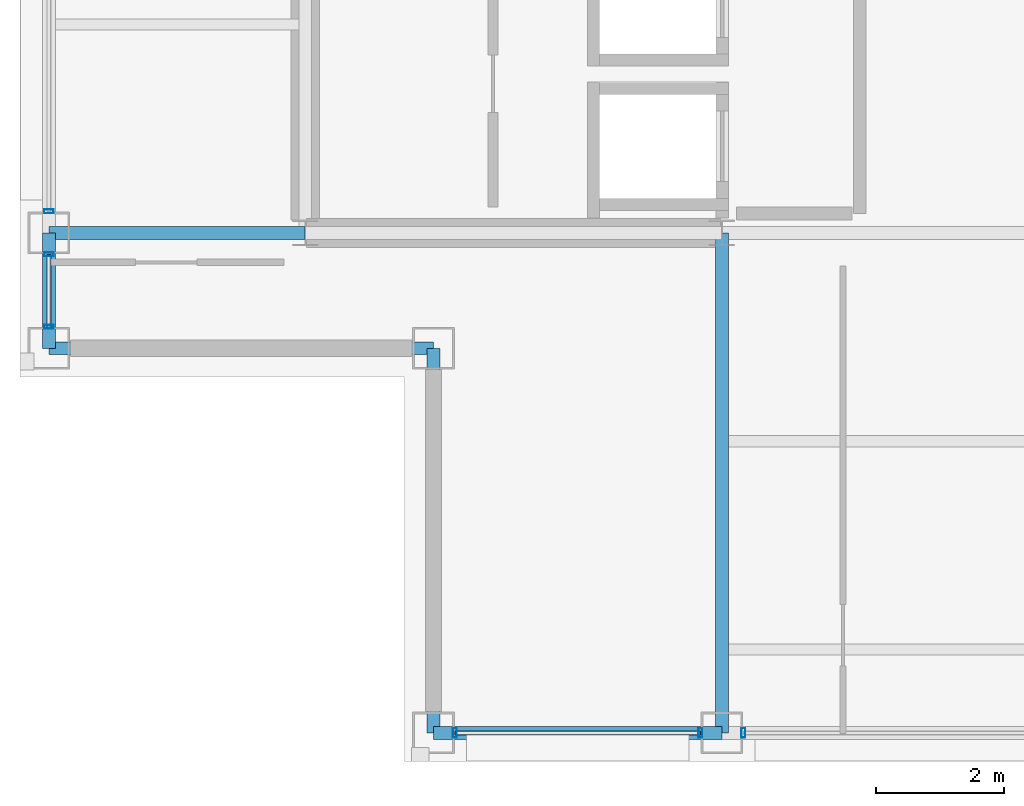
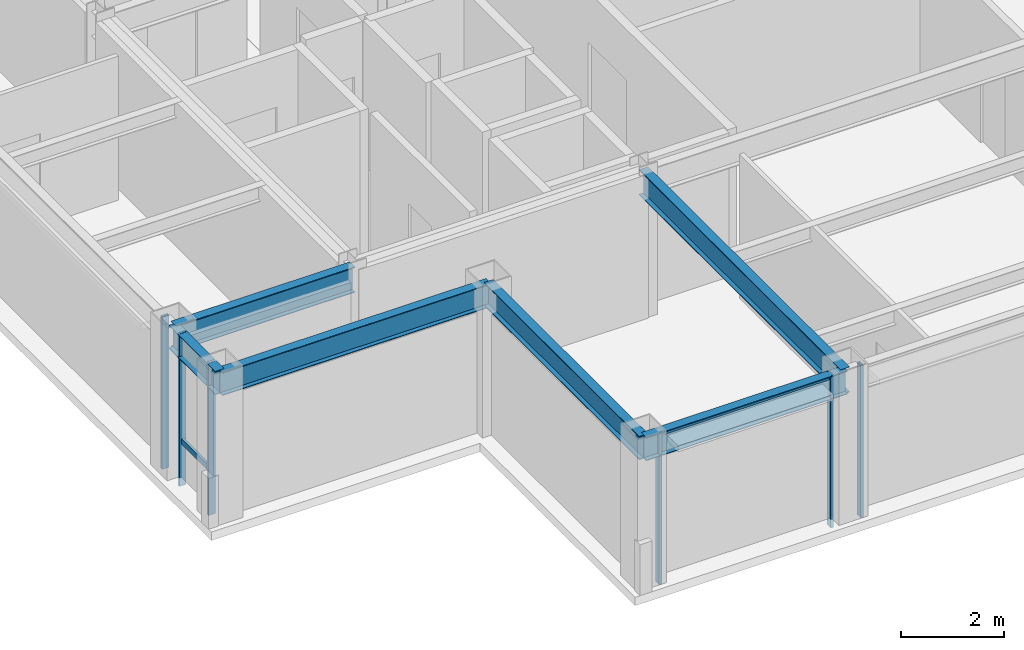
# One storey, part 3 of 24: 8 members, 6 beams, 4 elements without a shape of their own.
"""IFC4 building model written with IfcOpenShell, lengths in metres."""

import ifcopenshell
import ifcopenshell.guid

model = None  # the IFC model being written
_history = None  # IfcOwnerHistory: only IFC2X3 demands one
_inside = {}  # id of a spatial element -> (the spatial element, [elements in it])
_under = {}  # id of a project, library or spatial element -> (it, [spatial elements below it])
_declared = {}  # id of a project -> (the project, [libraries it declares])
_typed = {}  # id of a type object -> (the type object, [elements of that type])
_made_of = {}  # id of a material, layer set ... -> (it, [elements and type objects made of it])


def new_model(schema):
    """Start an empty IFC model of exactly this schema.

    Asked for "IFC4X3", IfcOpenShell would pick the latest addendum, in which some entities
    have other attributes; the version numbers below select the first issue.
    IFC2X3 requires an IfcOwnerHistory on every rooted entity: one is made here for all.
    """
    global model, _history
    if schema == "IFC4X3":
        model = ifcopenshell.file(schema_version=(4, 3, 0, 0))
    else:
        model = ifcopenshell.file(schema=schema)
    _inside.clear()
    _under.clear()
    _declared.clear()
    _typed.clear()
    _made_of.clear()
    _history = None
    if model.schema == "IFC2X3":
        org = make("IfcOrganization", Name="unknown")
        user = make(
            "IfcPersonAndOrganization",
            ThePerson=make("IfcPerson", FamilyName="unknown"),
            TheOrganization=org,
        )
        app = make(
            "IfcApplication",
            ApplicationDeveloper=org,
            Version="unknown",
            ApplicationFullName="unknown",
            ApplicationIdentifier="unknown",
        )
        _history = make(
            "IfcOwnerHistory",
            OwningUser=user,
            OwningApplication=app,
            ChangeAction="ADDED",
            CreationDate=0,
        )
    return model


def make(cls, **values):
    """One entity of the class cls with the attributes given. An attribute that is None is left unset."""
    return model.create_entity(
        cls, **{name: value for name, value in values.items() if value is not None}
    )


def rooted(cls, **values):
    """An entity with a GlobalId (a new one), such as an element, a storey or a relation."""
    return make(cls, GlobalId=ifcopenshell.guid.new(), OwnerHistory=_history, **values)


def si_unit(unit_type, name, prefix=None):
    """IfcSIUnit, for example si_unit("LENGTHUNIT", "METRE", prefix="MILLI")."""
    return make("IfcSIUnit", UnitType=unit_type, Prefix=prefix, Name=name)


def assignment(units):
    """IfcUnitAssignment: the units of a project."""
    return None if units is None else make("IfcUnitAssignment", Units=units)


def point(xyz):
    """IfcCartesianPoint."""
    return None if xyz is None else make("IfcCartesianPoint", Coordinates=xyz)


def direction(xyz):
    """IfcDirection."""
    return None if xyz is None else make("IfcDirection", DirectionRatios=xyz)


def frame(location, z_axis=None, x_axis=None):
    """IfcAxis2Placement3D, a coordinate frame: its origin and axes. An axis left out is left unset."""
    return make(
        "IfcAxis2Placement3D",
        Location=point(location),
        Axis=direction(z_axis),
        RefDirection=direction(x_axis),
    )


def frame_2d(location, x_axis=None):
    """IfcAxis2Placement2D, a coordinate frame in the plane: its origin and x axis."""
    return make(
        "IfcAxis2Placement2D", Location=point(location), RefDirection=direction(x_axis)
    )


def origin():
    """The frame at (0, 0, 0) with its axes left unset."""
    return frame((0.0, 0.0, 0.0))


def origin_2d():
    """The frame at (0, 0) in the plane with its x axis left unset."""
    return frame_2d((0.0, 0.0))


def place(relative_to, where):
    """IfcLocalPlacement: puts the frame where relative to a parent placement (None: the world)."""
    return make(
        "IfcLocalPlacement", PlacementRelTo=relative_to, RelativePlacement=where
    )


def context(
    kind, dimensions, precision=None, world=None, true_north=None, identifier=None
):
    """IfcGeometricRepresentationContext, for example the 3D "Model" context."""
    return make(
        "IfcGeometricRepresentationContext",
        ContextIdentifier=identifier,
        ContextType=kind,
        CoordinateSpaceDimension=dimensions,
        Precision=precision,
        WorldCoordinateSystem=world,
        TrueNorth=true_north,
    )


def subcontext(parent, identifier, kind, view, scale=None):
    """IfcGeometricRepresentationSubContext, for example "Body" below "Model"."""
    return make(
        "IfcGeometricRepresentationSubContext",
        ContextIdentifier=identifier,
        ContextType=kind,
        ParentContext=parent,
        TargetScale=scale,
        TargetView=view,
    )


def project(units=None, contexts=None):
    """IfcProject with its units and contexts."""
    return rooted(
        "IfcProject",
        Name="project",
        RepresentationContexts=contexts,
        UnitsInContext=assignment(units),
    )


def spatial(cls, under=None, at=None, **own):
    """A site, building, storey or space (cls), placed at a placement, below another one or the project."""
    s = rooted(cls, ObjectPlacement=at, **own)
    if under is not None:
        _under.setdefault(under.id(), (under, []))[1].append(s)
    return s


def profile(cls, at=None, kind="AREA", **sizes):
    """A parametric profile (cls). Its sizes go by their IFC names, for example OverallWidth=200.0."""
    return make(cls, ProfileType=kind, Position=at, **sizes)


def hollow_rectangle(**sizes):
    """IfcRectangleHollowProfileDef."""
    return profile("IfcRectangleHollowProfileDef", **sizes)


def i_section(**sizes):
    """IfcIShapeProfileDef."""
    return profile("IfcIShapeProfileDef", **sizes)


def extrude(swept, where, along, depth):
    """IfcExtrudedAreaSolid: the profile swept, set in the frame where, extruded along a direction by depth."""
    return make(
        "IfcExtrudedAreaSolid",
        SweptArea=swept,
        Position=where,
        ExtrudedDirection=direction(along),
        Depth=depth,
    )


def shape(context_of_items, identifier, shape_type, items):
    """IfcShapeRepresentation: the items that make up one representation, for example the "Body"."""
    return make(
        "IfcShapeRepresentation",
        ContextOfItems=context_of_items,
        RepresentationIdentifier=identifier,
        RepresentationType=shape_type,
        Items=items,
    )


def material(Name=None, Category=None):
    """IfcMaterial."""
    return make("IfcMaterial", Name=Name, Category=Category)


def layer(
    of_material, thickness, ventilated=None, Name=None, Category=None, Priority=None
):
    """IfcMaterialLayer: one layer of a wall or slab, of a material (None: an air gap)."""
    return make(
        "IfcMaterialLayer",
        Material=of_material,
        LayerThickness=thickness,
        IsVentilated=ventilated,
        Name=Name,
        Category=Category,
        Priority=Priority,
    )


def layer_set(layers, Name=None):
    """IfcMaterialLayerSet."""
    return make("IfcMaterialLayerSet", MaterialLayers=layers, LayerSetName=Name)


def material_profile(
    of_material, cross_section, Name=None, Category=None, Priority=None
):
    """IfcMaterialProfile: a cross section and its material."""
    return make(
        "IfcMaterialProfile",
        Name=Name,
        Material=of_material,
        Profile=cross_section,
        Priority=Priority,
        Category=Category,
    )


def profile_set(profiles, Name=None, composite=None):
    """IfcMaterialProfileSet."""
    return make(
        "IfcMaterialProfileSet",
        Name=Name,
        MaterialProfiles=profiles,
        CompositeProfile=composite,
    )


def made_of(thing, what):
    """Note that an element or type object is made of a material, layer set ...; save() writes the relation."""
    if what is not None:
        _made_of.setdefault(what.id(), (what, []))[1].append(thing)
    return thing


def type_object(cls, material=None, **own):
    """A type object (cls), such as IfcWallType, which elements share."""
    return made_of(rooted(cls, **own), material)


def element(
    cls,
    number,
    at=None,
    inside=None,
    cuts=None,
    type_object=None,
    material=None,
    context=None,
    identifier="Body",
    shape_type=None,
    held_by="IfcProductDefinitionShape",
    body=None,
    shapes=None,
    **own,
):
    """One element of the class cls, such as IfcWall. Its Tag is "e" and its number.

    at: its placement. inside: the storey or other place that contains it. cuts: it is an
    opening in that element (IfcRelVoidsElement). A single representation is given by context,
    identifier, shape_type and body (its items); several are given by shapes. held_by: the class
    of the entity that holds the representations. save() writes the other relations.
    """
    e = rooted(cls, Tag="e%d" % number, ObjectPlacement=at, **own)
    if body is not None:
        shapes = [shape(context, identifier, shape_type, body)]
    if shapes is not None:
        e.Representation = make(held_by, Representations=shapes)
    if inside is not None:
        _inside.setdefault(inside.id(), (inside, []))[1].append(e)
    if cuts is not None:
        rooted(
            "IfcRelVoidsElement", RelatingBuildingElement=cuts, RelatedOpeningElement=e
        )
    if type_object is not None:
        _typed.setdefault(type_object.id(), (type_object, []))[1].append(e)
    return made_of(e, material)


def aggregate(whole, parts):
    """IfcRelAggregates: a whole, such as a stair, and the parts it consists of."""
    return rooted("IfcRelAggregates", RelatingObject=whole, RelatedObjects=parts)


def save(model, path):
    """Write the relations noted so far, then the file.

    IfcRelAggregates (storeys below a building ...), IfcRelContainedInSpatialStructure (elements
    in a storey), IfcRelDefinesByType, IfcRelAssociatesMaterial and IfcRelDeclares: one each for
    every whole, place, type object, material and project.
    """
    for whole, parts in _under.values():
        aggregate(whole, parts)
    for where, things in _inside.values():
        rooted(
            "IfcRelContainedInSpatialStructure",
            RelatedElements=things,
            RelatingStructure=where,
        )
    for kind, things in _typed.values():
        rooted("IfcRelDefinesByType", RelatedObjects=things, RelatingType=kind)
    for what, things in _made_of.values():
        rooted("IfcRelAssociatesMaterial", RelatedObjects=things, RelatingMaterial=what)
    for by, libraries in _declared.values():
        rooted("IfcRelDeclares", RelatingContext=by, RelatedDefinitions=libraries)
    model.write(path)


model = new_model("IFC4")

# Units and contexts
model_context = context("Model", 3, precision=1e-05, world=origin(), true_north=direction((0.0, 1.0)))
body_context = subcontext(model_context, "Body", "Model", "MODEL_VIEW")
ifc_project = project(units=[si_unit("LENGTHUNIT", "METRE"), si_unit("AREAUNIT", "SQUARE_METRE"), si_unit("VOLUMEUNIT", "CUBIC_METRE"), si_unit("PLANEANGLEUNIT", "RADIAN"), si_unit("MASSUNIT", "GRAM", prefix="KILO")], contexts=[model_context])

# Site, building, storey
site_placement = place(None, origin())
site = spatial("IfcSite", under=ifc_project, at=site_placement, CompositionType="ELEMENT")
building_placement = place(site_placement, origin())
building = spatial("IfcBuilding", under=site, at=building_placement, Name="Brelmoor Portico Tower", CompositionType="ELEMENT")
storey_placement = place(building_placement, frame((0.0, 0.0, 240.0)))
storey = spatial("IfcBuildingStorey", under=building, at=storey_placement, Name="L63", CompositionType="ELEMENT", Elevation=240.0)

# Beams
ifc_material_1 = material(Name="Steel Q355B", Category="steel")
ifc_material_profile_1 = material_profile(ifc_material_1, i_section(OverallWidth=0.199951171875, OverallDepth=0.60009765625, WebThickness=0.010986328125, FlangeThickness=0.01708984375, at=origin_2d()), Name="HN 600x200x11x17")
ifc_profile_set_1 = profile_set([ifc_material_profile_1], Name="Steel Q355B")
beam_type_1 = type_object("IfcBeamType", Name="BM-PG-600", PredefinedType="BEAM", material=ifc_profile_set_1)
beam_1_placement = place(storey_placement, frame((-8.050048828125, -17.550048828125, 3.10009765625), z_axis=(0.0, 1.0, 0.0), x_axis=(-1.0, 0.0, 0.0)))
element("IfcBeam", 1, at=beam_1_placement, inside=storey, type_object=beam_type_1, Name="L63 Primary Floor Girder PG-03", PredefinedType="BEAM", context=body_context, shape_type="SweptSolid", body=[
    extrude(i_section(OverallWidth=0.199951171875, OverallDepth=0.60009765625, WebThickness=0.010986328125, FlangeThickness=0.01708984375, at=origin_2d()), origin(), (0.0, 0.0, 1.0), 7.800048828125),
])
beam_2_placement = place(storey_placement, frame((-18.550048828125, -9.75, 3.10009765625), z_axis=(1.0, 0.0, 0.0), x_axis=(0.0, 1.0, 0.0)))
element("IfcBeam", 2, at=beam_2_placement, inside=storey, type_object=beam_type_1, Name="L63 Primary Floor Girder PG-11", PredefinedType="BEAM", context=body_context, shape_type="SweptSolid", body=[
    extrude(i_section(OverallWidth=0.199951171875, OverallDepth=0.60009765625, WebThickness=0.010986328125, FlangeThickness=0.01708984375, at=origin_2d()), origin(), (0.0, 0.0, 1.0), 4.0),
])
ifc_material_profile_2 = material_profile(ifc_material_1, i_section(OverallWidth=0.199951171875, OverallDepth=0.550048828125, WebThickness=0.010009765625, FlangeThickness=0.01611328125, at=origin_2d()), Name="HN 550x200x10x16")
ifc_profile_set_2 = profile_set([ifc_material_profile_2], Name="Steel Q355B")
beam_type_2 = type_object("IfcBeamType", Name="BM-SP-550", PredefinedType="SPANDREL", material=ifc_profile_set_2)
beam_3_placement = place(storey_placement, frame((-12.550048828125, -17.550048828125, 3.125), z_axis=(1.0, 0.0, 0.0), x_axis=(0.0, 1.0, 0.0)))
element("IfcBeam", 3, at=beam_3_placement, inside=storey, type_object=beam_type_2, Name="L63 Perimeter Spandrel Beam SP-01", PredefinedType="SPANDREL", context=body_context, shape_type="SweptSolid", body=[
    extrude(i_section(OverallWidth=0.199951171875, OverallDepth=0.550048828125, WebThickness=0.010009765625, FlangeThickness=0.01611328125, at=origin_2d()), origin(), (0.0, 0.0, 1.0), 4.5),
])
beam_4_placement = place(storey_placement, frame((-18.550048828125, -11.550048828125, 3.125), z_axis=(1.0, 0.0, 0.0), x_axis=(0.0, 1.0, 0.0)))
element("IfcBeam", 4, at=beam_4_placement, inside=storey, type_object=beam_type_2, Name="L63 Perimeter Spandrel Beam SP-04", PredefinedType="SPANDREL", context=body_context, shape_type="SweptSolid", body=[
    extrude(i_section(OverallWidth=0.199951171875, OverallDepth=0.550048828125, WebThickness=0.010009765625, FlangeThickness=0.01611328125, at=origin_2d()), origin(), (0.0, 0.0, 1.0), 6.0),
])
beam_5_placement = place(storey_placement, frame((-18.550048828125, -11.550048828125, 3.125), z_axis=(0.0, 1.0, 0.0), x_axis=(-1.0, 0.0, 0.0)))
element("IfcBeam", 5, at=beam_5_placement, inside=storey, type_object=beam_type_2, Name="L63 Perimeter Spandrel Beam SP-11", PredefinedType="SPANDREL", context=body_context, shape_type="SweptSolid", body=[
    extrude(i_section(OverallWidth=0.199951171875, OverallDepth=0.550048828125, WebThickness=0.010009765625, FlangeThickness=0.01611328125, at=origin_2d()), origin(), (0.0, 0.0, 1.0), 1.800048828125),
])
beam_6_placement = place(storey_placement, frame((-12.550048828125, -17.550048828125, 3.125), z_axis=(0.0, 1.0, 0.0), x_axis=(-1.0, 0.0, 0.0)))
element("IfcBeam", 6, at=beam_6_placement, inside=storey, type_object=beam_type_2, Name="L63 Perimeter Spandrel Beam SP-14", PredefinedType="SPANDREL", context=body_context, shape_type="SweptSolid", body=[
    extrude(i_section(OverallWidth=0.199951171875, OverallDepth=0.550048828125, WebThickness=0.010009765625, FlangeThickness=0.01611328125, at=origin_2d()), origin(), (0.0, 0.0, 1.0), 6.0),
])

# Curtain wall, members
ifc_material_2 = material(Name="Anodised Aluminium Alloy 6063-T6", Category="aluminium")
ifc_layer_1 = layer(ifc_material_2, 0.179931640625)
ifc_layer_set_1 = layer_set([ifc_layer_1], Name="Anodised Aluminium Alloy 6063-T6")
curtain_wall_type_1 = type_object("IfcCurtainWallType", Name="CW-TOWER-Z4-XB", PredefinedType="NOTDEFINED", material=ifc_layer_set_1)
curtain_wall_1_placement = place(storey_placement, origin())
curtain_wall_1 = element("IfcCurtainWall", 7, at=curtain_wall_1_placement, inside=storey, type_object=curtain_wall_type_1, Name="L63 Curtain Wall CW-L63-01-1", PredefinedType="NOTDEFINED")
ifc_material_profile_3 = material_profile(ifc_material_2, hollow_rectangle(XDim=0.06005859375, YDim=0.14990234375, WallThickness=0.00390625, at=origin_2d()), Name="ALU MULLION 60x150")
ifc_profile_set_3 = profile_set([ifc_material_profile_3], Name="Anodised Aluminium Alloy 6063-T6")
member_type_1 = type_object("IfcMemberType", Name="MB-CW-MULL-150", PredefinedType="MULLION", material=ifc_profile_set_3)
member_1_placement = place(storey_placement, frame((-12.215087890625, -17.550048828125, -0.199951171875), z_axis=(0.0, 0.0, 1.0), x_axis=(1.0, 0.0, 0.0)))
member_1 = element("IfcMember", 8, at=member_1_placement, type_object=member_type_1, Name="CW-L63-01-1 Mullion 00", PredefinedType="MULLION", context=body_context, shape_type="SweptSolid", body=[
    extrude(hollow_rectangle(XDim=0.06005859375, YDim=0.14990234375, WallThickness=0.00390625, at=origin_2d()), origin(), (0.0, 0.0, 1.0), 3.599853515625),
])
member_2_placement = place(storey_placement, frame((-8.385009765625, -17.550048828125, -0.199951171875), z_axis=(0.0, 0.0, 1.0), x_axis=(1.0, 0.0, 0.0)))
member_2 = element("IfcMember", 9, at=member_2_placement, type_object=member_type_1, Name="CW-L63-01-1 Mullion 01", PredefinedType="MULLION", context=body_context, shape_type="SweptSolid", body=[
    extrude(hollow_rectangle(XDim=0.06005859375, YDim=0.14990234375, WallThickness=0.00390625, at=origin_2d()), origin(), (0.0, 0.0, 1.0), 3.599853515625),
])

# Curtain wall, member
curtain_wall_2_placement = place(storey_placement, origin())
curtain_wall_2 = element("IfcCurtainWall", 10, at=curtain_wall_2_placement, inside=storey, type_object=curtain_wall_type_1, Name="L63 Curtain Wall CW-L63-01-2", PredefinedType="NOTDEFINED")
member_3_placement = place(storey_placement, frame((-7.715087890625, -17.550048828125, -0.199951171875), z_axis=(0.0, 0.0, 1.0), x_axis=(1.0, 0.0, 0.0)))
member_3 = element("IfcMember", 11, at=member_3_placement, type_object=member_type_1, Name="CW-L63-01-2 Mullion 00", PredefinedType="MULLION", context=body_context, shape_type="SweptSolid", body=[
    extrude(hollow_rectangle(XDim=0.06005859375, YDim=0.14990234375, WallThickness=0.00390625, at=origin_2d()), origin(), (0.0, 0.0, 1.0), 3.599853515625),
])
aggregate(curtain_wall_2, [member_3])

# Curtain wall, members
ifc_layer_2 = layer(ifc_material_2, 0.179931640625)
ifc_layer_set_2 = layer_set([ifc_layer_2], Name="Anodised Aluminium Alloy 6063-T6")
curtain_wall_type_2 = type_object("IfcCurtainWallType", Name="CW-TOWER-Z4", PredefinedType="NOTDEFINED", material=ifc_layer_set_2)
curtain_wall_3_placement = place(storey_placement, origin())
curtain_wall_3 = element("IfcCurtainWall", 12, at=curtain_wall_3_placement, inside=storey, type_object=curtain_wall_type_2, Name="L63 Curtain Wall CW-L63-03-1", PredefinedType="NOTDEFINED")
member_4_placement = place(storey_placement, frame((-18.550048828125, -11.215087890625, -0.199951171875), z_axis=(0.0, 0.0, 1.0), x_axis=(0.0, 1.0, 0.0)))
member_4 = element("IfcMember", 13, at=member_4_placement, type_object=member_type_1, Name="CW-L63-03-1 Mullion 00", PredefinedType="MULLION", context=body_context, shape_type="SweptSolid", body=[
    extrude(hollow_rectangle(XDim=0.06005859375, YDim=0.14990234375, WallThickness=0.00390625, at=origin_2d()), origin(), (0.0, 0.0, 1.0), 3.599853515625),
])
member_5_placement = place(storey_placement, frame((-18.550048828125, -10.0849609375, -0.199951171875), z_axis=(0.0, 0.0, 1.0), x_axis=(0.0, 1.0, 0.0)))
member_5 = element("IfcMember", 14, at=member_5_placement, type_object=member_type_1, Name="CW-L63-03-1 Mullion 01", PredefinedType="MULLION", context=body_context, shape_type="SweptSolid", body=[
    extrude(hollow_rectangle(XDim=0.06005859375, YDim=0.14990234375, WallThickness=0.00390625, at=origin_2d()), origin(), (0.0, 0.0, 1.0), 3.599853515625),
])

# Curtain wall, member
curtain_wall_4_placement = place(storey_placement, origin())
curtain_wall_4 = element("IfcCurtainWall", 15, at=curtain_wall_4_placement, inside=storey, type_object=curtain_wall_type_1, Name="L63 Curtain Wall CW-L63-03-2", PredefinedType="NOTDEFINED")
member_6_placement = place(storey_placement, frame((-18.550048828125, -9.4150390625, -0.199951171875), z_axis=(0.0, 0.0, 1.0), x_axis=(0.0, 1.0, 0.0)))
member_6 = element("IfcMember", 16, at=member_6_placement, type_object=member_type_1, Name="CW-L63-03-2 Mullion 00", PredefinedType="MULLION", context=body_context, shape_type="SweptSolid", body=[
    extrude(hollow_rectangle(XDim=0.06005859375, YDim=0.14990234375, WallThickness=0.00390625, at=origin_2d()), origin(), (0.0, 0.0, 1.0), 3.599853515625),
])
aggregate(curtain_wall_4, [member_6])

# Member
ifc_material_profile_4 = material_profile(ifc_material_2, hollow_rectangle(XDim=0.06005859375, YDim=0.125, WallThickness=0.00341796875, at=origin_2d()), Name="ALU TRANSOM 60x125")
ifc_profile_set_4 = profile_set([ifc_material_profile_4], Name="Anodised Aluminium Alloy 6063-T6")
member_type_2 = type_object("IfcMemberType", Name="MB-CW-TRAN-125", PredefinedType="USERDEFINED", material=ifc_profile_set_4)
member_7_placement = place(storey_placement, frame((-12.215087890625, -17.550048828125, 3.33740234375), z_axis=(1.0, 0.0, 0.0), x_axis=(0.0, 1.0, 0.0)))
member_7 = element("IfcMember", 17, at=member_7_placement, type_object=member_type_2, Name="CW-L63-01-1 Transom 1-00", ObjectType="TRANSOM", PredefinedType="USERDEFINED", context=body_context, shape_type="SweptSolid", body=[
    extrude(hollow_rectangle(XDim=0.06005859375, YDim=0.125, WallThickness=0.00341796875, at=origin_2d()), origin(), (0.0, 0.0, 1.0), 3.830078125),
])

aggregate(curtain_wall_1, [member_1, member_2, member_7])

member_8_placement = place(storey_placement, frame((-18.550048828125, -11.215087890625, 0.85009765625), z_axis=(0.0, 1.0, 0.0), x_axis=(-1.0, 0.0, 0.0)))
member_8 = element("IfcMember", 18, at=member_8_placement, type_object=member_type_2, Name="CW-L63-03-1 Transom 1-00", ObjectType="TRANSOM", PredefinedType="USERDEFINED", context=body_context, shape_type="SweptSolid", body=[
    extrude(hollow_rectangle(XDim=0.06005859375, YDim=0.125, WallThickness=0.00341796875, at=origin_2d()), origin(), (0.0, 0.0, 1.0), 1.130126953125),
])

aggregate(curtain_wall_3, [member_4, member_5, member_8])

save(model, "model.ifc")
